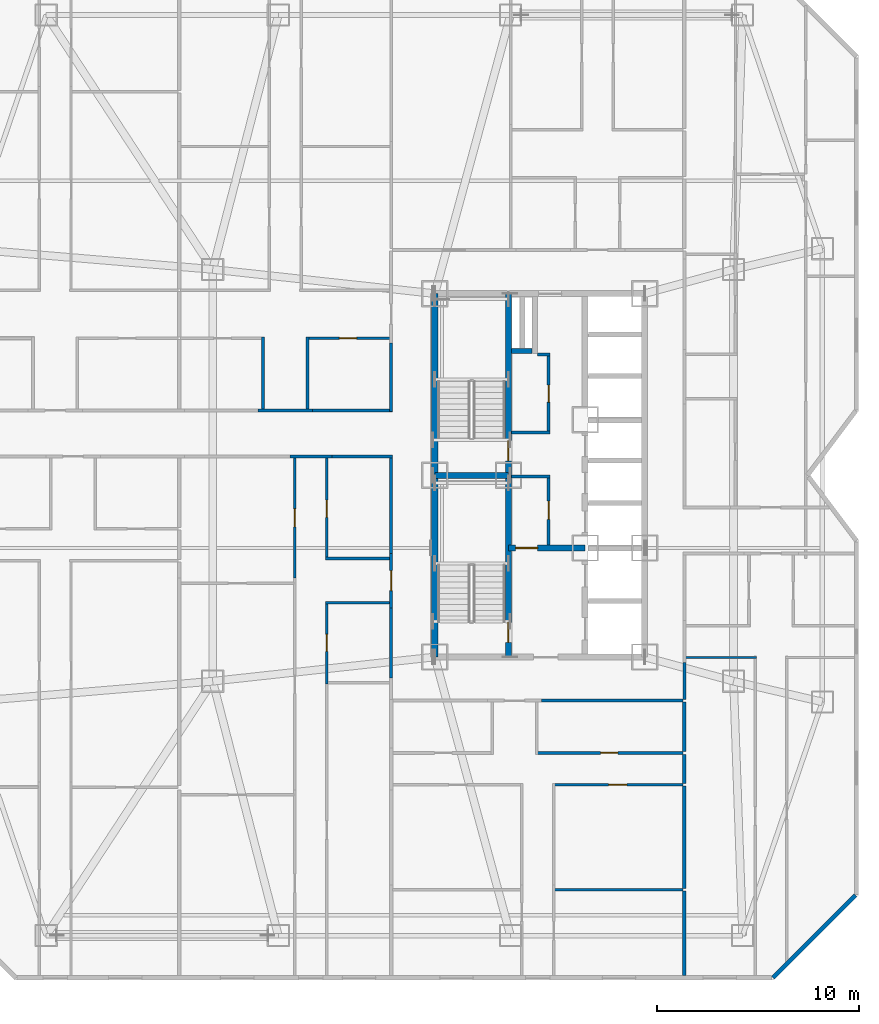
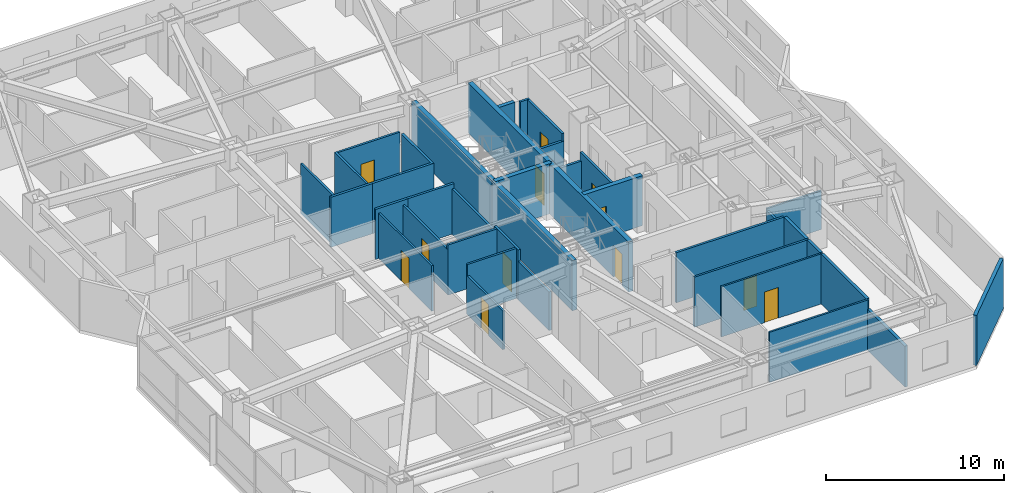
# One storey, part 13 of 18: 39 walls, 12 doors, 12 openings.
"""IFC4 building model written with IfcOpenShell, lengths in metres."""

from ifc_helpers import new_model, si_unit, direction, frame, frame_2d, origin, place, context, subcontext, project, spatial, rectangle, extrude, material, layer, layer_set, type_object, element, fill, save


model = new_model("IFC4")

# Units and contexts
model_context = context("Model", 3, precision=1e-05, world=origin(), true_north=direction((0.0, 1.0)))
body_context = subcontext(model_context, "Body", "Model", "MODEL_VIEW")
ifc_project = project(units=[si_unit("LENGTHUNIT", "METRE"), si_unit("AREAUNIT", "SQUARE_METRE"), si_unit("VOLUMEUNIT", "CUBIC_METRE"), si_unit("PLANEANGLEUNIT", "RADIAN"), si_unit("MASSUNIT", "GRAM", prefix="KILO")], contexts=[model_context])

# Site, building, storey
site_placement = place(None, origin())
site = spatial("IfcSite", under=ifc_project, at=site_placement, CompositionType="ELEMENT")
building_placement = place(site_placement, origin())
building = spatial("IfcBuilding", under=site, at=building_placement, Name="Khamvora Tower", CompositionType="ELEMENT")
storey_placement = place(building_placement, frame((0.0, 0.0, 69.800048828125)))
storey = spatial("IfcBuildingStorey", under=building, at=storey_placement, Name="L17", CompositionType="ELEMENT", Elevation=69.800048828125)

# Walls
ifc_material_1 = material(Name="Concrete C50/60", Category="concrete")
ifc_layer_1 = layer(ifc_material_1, 0.300048828125)
ifc_layer_set_1 = layer_set([ifc_layer_1], Name="Concrete C50/60")
wall_type_1 = type_object("IfcWallType", Name="WAL-CORE-300", PredefinedType="SHEAR", material=ifc_layer_set_1)
for number, where, z_axis, x_axis, name in (
    (1, (29.0, 19.0, 0.0), (0.0, 0.0, 1.0), (0.0, 1.0, 0.0), "L17 central core west south wall"),
    (2, (29.0, 28.0, 0.0), (0.0, 0.0, 1.0), (0.0, 1.0, 0.0), "L17 central core west north wall"),
):
    element("IfcWall", number, at=place(storey_placement, frame(where, z_axis=z_axis, x_axis=x_axis)), inside=storey, type_object=wall_type_1, Name=name, PredefinedType="SHEAR", context=body_context, shape_type="SweptSolid", body=[
        extrude(rectangle(XDim=9.0, YDim=0.300048828125, at=frame_2d((4.5, 0.0))), origin(), (0.0, 0.0, 1.0), 3.429931640625),
    ])

# Wall, opening, door
wall_1_placement = place(storey_placement, frame((32.64990234375, 19.0, 0.0), z_axis=(0.0, 0.0, 1.0), x_axis=(0.0, 1.0, 0.0)))
wall_1 = element("IfcWall", 3, at=wall_1_placement, inside=storey, type_object=wall_type_1, Name="L17 central core stair south spine wall", PredefinedType="SHEAR", context=body_context, shape_type="SweptSolid", body=[
    extrude(rectangle(XDim=9.0, YDim=0.300048828125, at=frame_2d((4.5, 0.0))), origin(), (0.0, 0.0, 1.0), 3.429931640625),
])
opening_1_placement = place(wall_1_placement, frame((0.719970703125, 0.0, 0.0)))
opening_1 = element("IfcOpeningElement", 4, at=opening_1_placement, cuts=wall_1, Name="Opening D-ST1", PredefinedType="OPENING", context=body_context, shape_type="SweptSolid", body=[
    extrude(rectangle(XDim=1.0, YDim=2.14990234375, at=frame_2d((0.5, 1.074951171875))), frame((0.0, 0.159912109375, 0.0), z_axis=(0.0, -1.0, 0.0), x_axis=(1.0, 0.0, 0.0)), (0.0, 0.0, 1.0), 0.320068359375),
])
ifc_material_2 = material(Name="Powder-Coated Steel and Hardwood Leaf", Category="steel")
door_type_1 = type_object("IfcDoorType", Name="DOR-STAIR-1000", OperationType="NOTDEFINED", PredefinedType="DOOR", material=ifc_material_2)
door_1_placement = place(opening_1_placement, origin())
door_1 = element("IfcDoor", 5, at=door_1_placement, inside=storey, type_object=door_type_1, Name="L17 exit stair ST-01 fire door", OperationType="SINGLE_SWING_RIGHT", OverallHeight=2.14990234375, OverallWidth=1.0, PredefinedType="DOOR", context=body_context, shape_type="SweptSolid", body=[
    extrude(rectangle(XDim=1.0, YDim=2.14990234375, at=frame_2d((0.5, 1.074951171875))), frame((0.0, 0.02490234375, 0.0), z_axis=(0.0, -1.0, 0.0), x_axis=(1.0, 0.0, 0.0)), (0.0, 0.0, 1.0), 0.050048828125),
])
fill(opening_1, door_1)

wall_2_placement = place(storey_placement, frame((32.64990234375, 28.0, 0.0), z_axis=(0.0, 0.0, 1.0), x_axis=(0.0, 1.0, 0.0)))
wall_2 = element("IfcWall", 6, at=wall_2_placement, inside=storey, type_object=wall_type_1, Name="L17 central core stair north spine wall", PredefinedType="SHEAR", context=body_context, shape_type="SweptSolid", body=[
    extrude(rectangle(XDim=9.0, YDim=0.300048828125, at=frame_2d((4.5, 0.0))), origin(), (0.0, 0.0, 1.0), 3.429931640625),
])
opening_2_placement = place(wall_2_placement, frame((0.719970703125, 0.0, 0.0)))
opening_2 = element("IfcOpeningElement", 7, at=opening_2_placement, cuts=wall_2, Name="Opening D-ST1", PredefinedType="OPENING", context=body_context, shape_type="SweptSolid", body=[
    extrude(rectangle(XDim=1.0, YDim=2.14990234375, at=frame_2d((0.5, 1.074951171875))), frame((0.0, 0.159912109375, 0.0), z_axis=(0.0, -1.0, 0.0), x_axis=(1.0, 0.0, 0.0)), (0.0, 0.0, 1.0), 0.320068359375),
])
door_2_placement = place(opening_2_placement, origin())
door_2 = element("IfcDoor", 8, at=door_2_placement, inside=storey, type_object=door_type_1, Name="L17 exit stair ST-02 fire door", OperationType="SINGLE_SWING_RIGHT", OverallHeight=2.14990234375, OverallWidth=1.0, PredefinedType="DOOR", context=body_context, shape_type="SweptSolid", body=[
    extrude(rectangle(XDim=1.0, YDim=2.14990234375, at=frame_2d((0.5, 1.074951171875))), frame((0.0, 0.02490234375, 0.0), z_axis=(0.0, -1.0, 0.0), x_axis=(1.0, 0.0, 0.0)), (0.0, 0.0, 1.0), 0.050048828125),
])
fill(opening_2, door_2)

# Wall
wall_3_placement = place(storey_placement, frame((29.0, 28.0, 0.0), z_axis=(0.0, 0.0, 1.0), x_axis=(1.0, 0.0, 0.0)))
element("IfcWall", 9, at=wall_3_placement, inside=storey, type_object=wall_type_1, Name="L17 central core stair cross wall", PredefinedType="SHEAR", context=body_context, shape_type="SweptSolid", body=[
    extrude(rectangle(XDim=3.64990234375, YDim=0.300048828125, at=frame_2d((1.824951171875, 0.0))), origin(), (0.0, 0.0, 1.0), 3.429931640625),
])

# Wall, opening, door
wall_4_placement = place(storey_placement, frame((32.64990234375, 24.39990234375, 0.0), z_axis=(0.0, 0.0, 1.0), x_axis=(1.0, 0.0, 0.0)))
wall_4 = element("IfcWall", 10, at=wall_4_placement, inside=storey, type_object=wall_type_1, Name="L17 central core firefighting lobby north wall", PredefinedType="SHEAR", context=body_context, shape_type="SweptSolid", body=[
    extrude(rectangle(XDim=3.800048828125, YDim=0.300048828125, at=frame_2d((1.89990234375, 0.0))), origin(), (0.0, 0.0, 1.0), 3.429931640625),
])
opening_3_placement = place(wall_4_placement, frame((0.35009765625, 0.0, 0.0)))
opening_3 = element("IfcOpeningElement", 11, at=opening_3_placement, cuts=wall_4, Name="Opening D-FF1", PredefinedType="OPENING", context=body_context, shape_type="SweptSolid", body=[
    extrude(rectangle(XDim=1.10009765625, YDim=2.14990234375, at=frame_2d((0.550048828125, 1.074951171875))), frame((0.0, 0.159912109375, 0.0), z_axis=(0.0, -1.0, 0.0), x_axis=(1.0, 0.0, 0.0)), (0.0, 0.0, 1.0), 0.320068359375),
])
door_type_2 = type_object("IfcDoorType", Name="DOR-FFLOB-1100", OperationType="NOTDEFINED", PredefinedType="DOOR", material=ifc_material_2)
door_3_placement = place(opening_3_placement, origin())
door_3 = element("IfcDoor", 12, at=door_3_placement, inside=storey, type_object=door_type_2, Name="L17 firefighting lobby smoke-seal fire door", OperationType="SINGLE_SWING_LEFT", OverallHeight=2.14990234375, OverallWidth=1.10009765625, PredefinedType="DOOR", context=body_context, shape_type="SweptSolid", body=[
    extrude(rectangle(XDim=1.10009765625, YDim=2.14990234375, at=frame_2d((0.550048828125, 1.074951171875))), frame((0.0, 0.02490234375, 0.0), z_axis=(0.0, -1.0, 0.0), x_axis=(1.0, 0.0, 0.0)), (0.0, 0.0, 1.0), 0.050048828125),
])
fill(opening_3, door_3)

# Wall
ifc_material_3 = material(Name="Fire-Rated Drywall and Steel Stud", Category="steel")
ifc_layer_2 = layer(ifc_material_3, 0.14990234375)
ifc_layer_set_2 = layer_set([ifc_layer_2], Name="Fire-Rated Drywall and Steel Stud")
wall_type_2 = type_object("IfcWallType", Name="WAL-CORR-150", PredefinedType="STANDARD", material=ifc_layer_set_2)
wall_5_placement = place(storey_placement, frame((32.7939453125, 30.114990234375, 0.0), z_axis=(0.0, 0.0, 1.0), x_axis=(1.0, 0.0, 0.0)))
element("IfcWall", 13, at=wall_5_placement, inside=storey, type_object=wall_type_2, Name="L17 interior partition wall 001", PredefinedType="STANDARD", context=body_context, shape_type="SweptSolid", body=[
    extrude(rectangle(XDim=1.906005859375, YDim=0.14990234375, at=frame_2d((0.953125, 0.0))), origin(), (0.0, 0.0, 1.0), 2.886962890625),
])

# Wall, opening, door
wall_6_placement = place(storey_placement, frame((34.635009765625, 30.052001953125, 0.0), z_axis=(0.0, 0.0, 1.0), x_axis=(0.0, 1.0, 0.0)))
wall_6 = element("IfcWall", 14, at=wall_6_placement, inside=storey, type_object=wall_type_2, Name="L17 interior partition wall 002", PredefinedType="STANDARD", context=body_context, shape_type="SweptSolid", body=[
    extrude(rectangle(XDim=3.988037109375, YDim=0.14990234375, at=frame_2d((1.994140625, 0.0))), origin(), (0.0, 0.0, 1.0), 3.429931640625),
])
opening_4_placement = place(wall_6_placement, frame((1.569091796875, 0.0, 0.0)))
opening_4 = element("IfcOpeningElement", 15, at=opening_4_placement, cuts=wall_6, Name="Opening D-WC1", PredefinedType="OPENING", context=body_context, shape_type="SweptSolid", body=[
    extrude(rectangle(XDim=0.85009765625, YDim=2.10009765625, at=frame_2d((0.425048828125, 1.050048828125))), frame((0.0, 0.0849609375, 0.0), z_axis=(0.0, -1.0, 0.0), x_axis=(1.0, 0.0, 0.0)), (0.0, 0.0, 1.0), 0.169921875),
])
door_type_3 = type_object("IfcDoorType", Name="DOR-WET-850", OperationType="NOTDEFINED", PredefinedType="DOOR", material=ifc_material_2)
door_4_placement = place(opening_4_placement, origin())
door_4 = element("IfcDoor", 16, at=door_4_placement, inside=storey, type_object=door_type_3, Name="L17 interior door PLL-CS1", OperationType="SINGLE_SWING_RIGHT", OverallHeight=2.10009765625, OverallWidth=0.85009765625, PredefinedType="DOOR", context=body_context, shape_type="SweptSolid", body=[
    extrude(rectangle(XDim=0.85009765625, YDim=2.10009765625, at=frame_2d((0.425048828125, 1.050048828125))), frame((0.0, 0.02490234375, 0.0), z_axis=(0.0, -1.0, 0.0), x_axis=(1.0, 0.0, 0.0)), (0.0, 0.0, 1.0), 0.050048828125),
])
fill(opening_4, door_4)

# Wall
wall_7_placement = place(storey_placement, frame((34.699951171875, 33.97509765625, 0.0), z_axis=(0.0, 0.0, 1.0), x_axis=(-1.0, 0.0, 0.0)))
element("IfcWall", 17, at=wall_7_placement, inside=storey, type_object=wall_type_2, Name="L17 interior partition wall 003", PredefinedType="STANDARD", context=body_context, shape_type="SweptSolid", body=[
    extrude(rectangle(XDim=0.599853515625, YDim=0.14990234375, at=frame_2d((0.2998046875, 0.0))), origin(), (0.0, 0.0, 1.0), 3.429931640625),
])

# Wall, opening, door
wall_8_placement = place(storey_placement, frame((34.635009765625, 24.5439453125, 0.0), z_axis=(0.0, 0.0, 1.0), x_axis=(0.0, 1.0, 0.0)))
wall_8 = element("IfcWall", 18, at=wall_8_placement, inside=storey, type_object=wall_type_2, Name="L17 interior partition wall 004", PredefinedType="STANDARD", context=body_context, shape_type="SweptSolid", body=[
    extrude(rectangle(XDim=3.4560546875, YDim=0.14990234375, at=frame_2d((1.72802734375, 0.0))), origin(), (0.0, 0.0, 1.0), 3.429931640625),
])
opening_5_placement = place(wall_8_placement, frame((1.278076171875, 0.0, 0.0)))
opening_5 = element("IfcOpeningElement", 19, at=opening_5_placement, cuts=wall_8, Name="Opening D-RM1", PredefinedType="OPENING", context=body_context, shape_type="SweptSolid", body=[
    extrude(rectangle(XDim=0.89990234375, YDim=2.10009765625, at=frame_2d((0.449951171875, 1.050048828125))), frame((0.0, 0.0849609375, 0.0), z_axis=(0.0, -1.0, 0.0), x_axis=(1.0, 0.0, 0.0)), (0.0, 0.0, 1.0), 0.169921875),
])
door_type_4 = type_object("IfcDoorType", Name="DOR-ROOM-900", OperationType="NOTDEFINED", PredefinedType="DOOR", material=ifc_material_2)
door_5_placement = place(opening_5_placement, origin())
door_5 = element("IfcDoor", 20, at=door_5_placement, inside=storey, type_object=door_type_4, Name="L17 interior door PLL-CS2", OperationType="SINGLE_SWING_LEFT", OverallHeight=2.10009765625, OverallWidth=0.89990234375, PredefinedType="DOOR", context=body_context, shape_type="SweptSolid", body=[
    extrude(rectangle(XDim=0.89990234375, YDim=2.10009765625, at=frame_2d((0.449951171875, 1.050048828125))), frame((0.0, 0.02490234375, 0.0), z_axis=(0.0, -1.0, 0.0), x_axis=(1.0, 0.0, 0.0)), (0.0, 0.0, 1.0), 0.050048828125),
])
fill(opening_5, door_5)

# Wall
wall_9_placement = place(storey_placement, frame((34.699951171875, 27.93505859375, 0.0), z_axis=(0.0, 0.0, 1.0), x_axis=(-1.0, 0.0, 0.0)))
element("IfcWall", 21, at=wall_9_placement, inside=storey, type_object=wall_type_2, Name="L17 interior partition wall 005", PredefinedType="STANDARD", context=body_context, shape_type="SweptSolid", body=[
    extrude(rectangle(XDim=1.906005859375, YDim=0.14990234375, at=frame_2d((0.953125, 0.0))), origin(), (0.0, 0.0, 1.0), 2.886962890625),
])

# Wall, opening, door
wall_10_placement = place(storey_placement, frame((26.8349609375, 21.43505859375, 0.0), z_axis=(0.0, 0.0, 1.0), x_axis=(0.0, 1.0, 0.0)))
wall_10 = element("IfcWall", 22, at=wall_10_placement, inside=storey, type_object=wall_type_2, Name="L17 interior partition wall 011", PredefinedType="STANDARD", context=body_context, shape_type="SweptSolid", body=[
    extrude(rectangle(XDim=2.697998046875, YDim=0.14990234375, at=frame_2d((1.34912109375, 0.0))), origin(), (0.0, 0.0, 1.0), 3.429931640625),
])
opening_6_placement = place(wall_10_placement, frame((0.84912109375, 0.0, 0.0)))
opening_6 = element("IfcOpeningElement", 23, at=opening_6_placement, cuts=wall_10, Name="Opening D-U1", PredefinedType="OPENING", context=body_context, shape_type="SweptSolid", body=[
    extrude(rectangle(XDim=1.0, YDim=2.14990234375, at=frame_2d((0.5, 1.074951171875))), frame((0.0, 0.0849609375, 0.0), z_axis=(0.0, -1.0, 0.0), x_axis=(1.0, 0.0, 0.0)), (0.0, 0.0, 1.0), 0.169921875),
])
door_type_5 = type_object("IfcDoorType", Name="DOR-UNIT-1000", OperationType="NOTDEFINED", PredefinedType="DOOR", material=ifc_material_2)
door_6_placement = place(opening_6_placement, origin())
door_6 = element("IfcDoor", 24, at=door_6_placement, inside=storey, type_object=door_type_5, Name="L17 interior door COR-17WA2H", OperationType="SINGLE_SWING_RIGHT", OverallHeight=2.14990234375, OverallWidth=1.0, PredefinedType="DOOR", context=body_context, shape_type="SweptSolid", body=[
    extrude(rectangle(XDim=1.0, YDim=2.14990234375, at=frame_2d((0.5, 1.074951171875))), frame((0.0, 0.02490234375, 0.0), z_axis=(0.0, -1.0, 0.0), x_axis=(1.0, 0.0, 0.0)), (0.0, 0.0, 1.0), 0.050048828125),
])
fill(opening_6, door_6)

# Walls
wall_11_placement = place(storey_placement, frame((23.89990234375, 28.93505859375, 0.0), z_axis=(0.0, 0.0, 1.0), x_axis=(-1.0, 0.0, 0.0)))
element("IfcWall", 25, at=wall_11_placement, inside=storey, type_object=wall_type_2, Name="L17 interior partition wall 012", PredefinedType="STANDARD", context=body_context, shape_type="SweptSolid", body=[
    extrude(rectangle(XDim=2.078857421875, YDim=0.14990234375, at=frame_2d((1.03955078125, 0.0))), origin(), (0.0, 0.0, 1.0), 3.429931640625),
])
wall_12_placement = place(storey_placement, frame((26.8349609375, 17.968017578125, 0.0), z_axis=(0.0, 0.0, 1.0), x_axis=(0.0, 1.0, 0.0)))
element("IfcWall", 26, at=wall_12_placement, inside=storey, type_object=wall_type_2, Name="L17 interior partition wall 013", PredefinedType="STANDARD", context=body_context, shape_type="SweptSolid", body=[
    extrude(rectangle(XDim=3.467041015625, YDim=0.14990234375, at=frame_2d((1.7333984375, 0.0))), origin(), (0.0, 0.0, 1.0), 2.64697265625),
])
wall_13_placement = place(storey_placement, frame((26.8349609375, 24.133056640625, 0.0), z_axis=(0.0, 0.0, 1.0), x_axis=(0.0, 1.0, 0.0)))
element("IfcWall", 27, at=wall_13_placement, inside=storey, type_object=wall_type_2, Name="L17 interior partition wall 014", PredefinedType="STANDARD", context=body_context, shape_type="SweptSolid", body=[
    extrude(rectangle(XDim=4.866943359375, YDim=0.14990234375, at=frame_2d((2.43359375, 0.0))), origin(), (0.0, 0.0, 1.0), 3.10693359375),
])
wall_14_placement = place(storey_placement, frame((26.89794921875, 28.93505859375, 0.0), z_axis=(0.0, 0.0, 1.0), x_axis=(-1.0, 0.0, 0.0)))
element("IfcWall", 28, at=wall_14_placement, inside=storey, type_object=wall_type_2, Name="L17 interior partition wall 015", PredefinedType="STANDARD", context=body_context, shape_type="SweptSolid", body=[
    extrude(rectangle(XDim=2.998046875, YDim=0.14990234375, at=frame_2d((1.4990234375, 0.0))), origin(), (0.0, 0.0, 1.0), 3.429931640625),
])
wall_15_placement = place(storey_placement, frame((20.241943359375, 31.215087890625, 0.0), z_axis=(0.0, 0.0, 1.0), x_axis=(1.0, 0.0, 0.0)))
element("IfcWall", 29, at=wall_15_placement, inside=storey, type_object=wall_type_2, Name="L17 interior partition wall 020", PredefinedType="STANDARD", context=body_context, shape_type="SweptSolid", body=[
    extrude(rectangle(XDim=2.697998046875, YDim=0.14990234375, at=frame_2d((1.34912109375, 0.0))), origin(), (0.0, 0.0, 1.0), 3.429931640625),
])
wall_16_placement = place(storey_placement, frame((22.93994140625, 31.215087890625, 0.0), z_axis=(0.0, 0.0, 1.0), x_axis=(1.0, 0.0, 0.0)))
element("IfcWall", 30, at=wall_16_placement, inside=storey, type_object=wall_type_2, Name="L17 interior partition wall 023", PredefinedType="STANDARD", context=body_context, shape_type="SweptSolid", body=[
    extrude(rectangle(XDim=3.9599609375, YDim=0.14990234375, at=frame_2d((1.97998046875, 0.0))), origin(), (0.0, 0.0, 1.0), 3.429931640625),
])
wall_17_placement = place(storey_placement, frame((26.8349609375, 31.14990234375, 0.0), z_axis=(0.0, 0.0, 1.0), x_axis=(0.0, 1.0, 0.0)))
element("IfcWall", 31, at=wall_17_placement, inside=storey, type_object=wall_type_2, Name="L17 interior partition wall 024", PredefinedType="STANDARD", context=body_context, shape_type="SweptSolid", body=[
    extrude(rectangle(XDim=3.39599609375, YDim=0.14990234375, at=frame_2d((1.697998046875, 0.0))), origin(), (0.0, 0.0, 1.0), 3.429931640625),
])
wall_18_placement = place(storey_placement, frame((41.300048828125, 16.8349609375, 0.0), z_axis=(0.0, 0.0, 1.0), x_axis=(-1.0, 0.0, 0.0)))
element("IfcWall", 32, at=wall_18_placement, inside=storey, type_object=wall_type_2, Name="L17 interior partition wall 028", PredefinedType="STANDARD", context=body_context, shape_type="SweptSolid", body=[
    extrude(rectangle(XDim=7.0009765625, YDim=0.14990234375, at=frame_2d((3.50048828125, 0.0))), origin(), (0.0, 0.0, 1.0), 3.429931640625),
])
wall_19_placement = place(storey_placement, frame((41.364990234375, 18.72607421875, 0.0), z_axis=(0.0, 0.0, 1.0), x_axis=(0.0, -1.0, 0.0)))
element("IfcWall", 33, at=wall_19_placement, inside=storey, type_object=wall_type_2, Name="L17 interior partition wall 037", PredefinedType="STANDARD", context=body_context, shape_type="SweptSolid", body=[
    extrude(rectangle(XDim=1.826171875, YDim=0.14990234375, at=frame_2d((0.9130859375, 0.0))), origin(), (0.0, 0.0, 1.0), 2.64697265625),
])
ifc_material_4 = material(Name="Acoustic Double-Stud Fire Wall", Category="gypsum")
ifc_layer_3 = layer(ifc_material_4, 0.179931640625)
ifc_layer_set_3 = layer_set([ifc_layer_3], Name="Acoustic Double-Stud Fire Wall")
wall_type_3 = type_object("IfcWallType", Name="WAL-CORR-180", PredefinedType="STANDARD", material=ifc_layer_set_3)
wall_20_placement = place(storey_placement, frame((41.364990234375, 14.180908203125, 0.0), z_axis=(0.0, 0.0, 1.0), x_axis=(0.0, -1.0, 0.0)))
element("IfcWall", 34, at=wall_20_placement, inside=storey, type_object=wall_type_3, Name="L17 interior partition wall 120", PredefinedType="STANDARD", context=body_context, shape_type="SweptSolid", body=[
    extrude(rectangle(XDim=1.449951171875, YDim=0.179931640625, at=frame_2d((0.72509765625, 0.0))), origin(), (0.0, 0.0, 1.0), 3.429931640625),
])
wall_21_placement = place(storey_placement, frame((41.364990234375, 16.77001953125, 0.0), z_axis=(0.0, 0.0, 1.0), x_axis=(0.0, -1.0, 0.0)))
element("IfcWall", 35, at=wall_21_placement, inside=storey, type_object=wall_type_3, Name="L17 interior partition wall 121", PredefinedType="STANDARD", context=body_context, shape_type="SweptSolid", body=[
    extrude(rectangle(XDim=2.458984375, YDim=0.179931640625, at=frame_2d((1.2294921875, 0.0))), origin(), (0.0, 0.0, 1.0), 3.429931640625),
])
wall_22_placement = place(storey_placement, frame((41.364990234375, 7.39794921875, 0.0), z_axis=(0.0, 0.0, 1.0), x_axis=(0.0, -1.0, 0.0)))
element("IfcWall", 36, at=wall_22_placement, inside=storey, type_object=wall_type_3, Name="L17 interior partition wall 124", PredefinedType="STANDARD", context=body_context, shape_type="SweptSolid", body=[
    extrude(rectangle(XDim=4.18603515625, YDim=0.179931640625, at=frame_2d((2.093017578125, 0.0))), origin(), (0.0, 0.0, 1.0), 2.802978515625),
])
wall_23_placement = place(storey_placement, frame((41.364990234375, 12.60107421875, 0.0), z_axis=(0.0, 0.0, 1.0), x_axis=(0.0, -1.0, 0.0)))
element("IfcWall", 37, at=wall_23_placement, inside=storey, type_object=wall_type_3, Name="L17 interior partition wall 125", PredefinedType="STANDARD", context=body_context, shape_type="SweptSolid", body=[
    extrude(rectangle(XDim=5.072998046875, YDim=0.179931640625, at=frame_2d((2.53662109375, 0.0))), origin(), (0.0, 0.0, 1.0), 3.429931640625),
])
ifc_material_5 = material(Name="Precast concrete C40/50", Category="concrete")
ifc_layer_4 = layer(ifc_material_5, 0.219970703125)
ifc_layer_set_4 = layer_set([ifc_layer_4], Name="Precast concrete C40/50")
wall_type_4 = type_object("IfcWallType", Name="WAL-EXT-220", PredefinedType="STANDARD", material=ifc_layer_set_4)
wall_24_placement = place(storey_placement, frame((49.840087890625, 7.196044921875, 0.0), z_axis=(0.0, 0.0, 1.0), x_axis=(-0.707127905562, -0.70708565618, 0.0)))
element("IfcWall", 38, at=wall_24_placement, inside=storey, type_object=wall_type_4, Name="L17 exterior facade wall 13.1", PredefinedType="STANDARD", context=body_context, shape_type="SweptSolid", body=[
    extrude(rectangle(XDim=5.778564453125, YDim=0.219970703125, at=frame_2d((2.88916015625, 0.0))), origin(), (0.0, 0.0, 1.0), 3.429931640625),
])

# Wall, opening, door
ifc_material_6 = material(Name="Gypsum Plasterboard Partition", Category="gypsum")
ifc_layer_5 = layer(ifc_material_6, 0.1201171875)
ifc_layer_set_5 = layer_set([ifc_layer_5], Name="Gypsum Plasterboard Partition")
wall_type_5 = type_object("IfcWallType", Name="WAL-PART-120", PredefinedType="PARTITIONING", material=ifc_layer_set_5)
wall_25_placement = place(storey_placement, frame((22.070068359375, 22.912109375, 0.0), z_axis=(0.0, 0.0, 1.0), x_axis=(0.0, 1.0, 0.0)))
wall_25 = element("IfcWall", 39, at=wall_25_placement, inside=storey, type_object=wall_type_5, Name="L17 interior partition wall 078", PredefinedType="PARTITIONING", context=body_context, shape_type="SweptSolid", body=[
    extrude(rectangle(XDim=5.955810546875, YDim=0.1201171875, at=frame_2d((2.97802734375, 0.0))), origin(), (0.0, 0.0, 1.0), 3.10693359375),
])
opening_7_placement = place(wall_25_placement, frame((2.528076171875, 0.0, 0.0)))
opening_7 = element("IfcOpeningElement", 40, at=opening_7_placement, cuts=wall_25, Name="Opening D-RM1", PredefinedType="OPENING", context=body_context, shape_type="SweptSolid", body=[
    extrude(rectangle(XDim=0.89990234375, YDim=2.10009765625, at=frame_2d((0.449951171875, 1.050048828125))), frame((0.0, 0.070068359375, 0.0), z_axis=(0.0, -1.0, 0.0), x_axis=(1.0, 0.0, 0.0)), (0.0, 0.0, 1.0), 0.14013671875),
])
door_7_placement = place(opening_7_placement, origin())
door_7 = element("IfcDoor", 41, at=door_7_placement, inside=storey, type_object=door_type_4, Name="L17 interior door 17WA2H-17WA2R3", OperationType="SINGLE_SWING_RIGHT", OverallHeight=2.10009765625, OverallWidth=0.89990234375, PredefinedType="DOOR", context=body_context, shape_type="SweptSolid", body=[
    extrude(rectangle(XDim=0.89990234375, YDim=2.10009765625, at=frame_2d((0.449951171875, 1.050048828125))), frame((0.0, 0.02490234375, 0.0), z_axis=(0.0, -1.0, 0.0), x_axis=(1.0, 0.0, 0.0)), (0.0, 0.0, 1.0), 0.050048828125),
])
fill(opening_7, door_7)

wall_26_placement = place(storey_placement, frame((41.300048828125, 12.666015625, 0.0), z_axis=(0.0, 0.0, 1.0), x_axis=(-1.0, 0.0, 0.0)))
wall_26 = element("IfcWall", 42, at=wall_26_placement, inside=storey, type_object=wall_type_5, Name="L17 interior partition wall 118", PredefinedType="PARTITIONING", context=body_context, shape_type="SweptSolid", body=[
    extrude(rectangle(XDim=6.47998046875, YDim=0.1201171875, at=frame_2d((3.239990234375, 0.0))), origin(), (0.0, 0.0, 1.0), 3.429931640625),
])
opening_8_placement = place(wall_26_placement, frame((2.7900390625, 0.0, 0.0)))
opening_8 = element("IfcOpeningElement", 43, at=opening_8_placement, cuts=wall_26, Name="Opening D-RM1", PredefinedType="OPENING", context=body_context, shape_type="SweptSolid", body=[
    extrude(rectangle(XDim=0.89990234375, YDim=2.10009765625, at=frame_2d((0.449951171875, 1.050048828125))), frame((0.0, 0.070068359375, 0.0), z_axis=(0.0, -1.0, 0.0), x_axis=(1.0, 0.0, 0.0)), (0.0, 0.0, 1.0), 0.14013671875),
])
door_8_placement = place(opening_8_placement, origin())
door_8 = element("IfcDoor", 44, at=door_8_placement, inside=storey, type_object=door_type_4, Name="L17 interior door 17SAH-17SAR4", OperationType="SINGLE_SWING_LEFT", OverallHeight=2.10009765625, OverallWidth=0.89990234375, PredefinedType="DOOR", context=body_context, shape_type="SweptSolid", body=[
    extrude(rectangle(XDim=0.89990234375, YDim=2.10009765625, at=frame_2d((0.449951171875, 1.050048828125))), frame((0.0, 0.02490234375, 0.0), z_axis=(0.0, -1.0, 0.0), x_axis=(1.0, 0.0, 0.0)), (0.0, 0.0, 1.0), 0.050048828125),
])
fill(opening_8, door_8)

# Walls
wall_27_placement = place(storey_placement, frame((34.93896484375, 7.462890625, 0.0), z_axis=(0.0, 0.0, 1.0), x_axis=(1.0, 0.0, 0.0)))
element("IfcWall", 45, at=wall_27_placement, inside=storey, type_object=wall_type_5, Name="L17 interior partition wall 123", PredefinedType="PARTITIONING", context=body_context, shape_type="SweptSolid", body=[
    extrude(rectangle(XDim=6.361083984375, YDim=0.1201171875, at=frame_2d((3.1806640625, 0.0))), origin(), (0.0, 0.0, 1.0), 3.429931640625),
])
wall_28_placement = place(storey_placement, frame((44.93994140625, 18.97509765625, 0.0), z_axis=(0.0, 0.0, 1.0), x_axis=(-1.0, 0.0, 0.0)))
element("IfcWall", 46, at=wall_28_placement, inside=storey, type_object=wall_type_5, Name="L17 interior partition wall 142", PredefinedType="PARTITIONING", context=body_context, shape_type="SweptSolid", body=[
    extrude(rectangle(XDim=3.508056640625, YDim=0.1201171875, at=frame_2d((1.75390625, 0.0))), origin(), (0.0, 0.0, 1.0), 2.64697265625),
])
ifc_material_7 = material(Name="Concrete C40/50", Category="concrete")
ifc_layer_6 = layer(ifc_material_7, 0.25)
ifc_layer_set_6 = layer_set([ifc_layer_6], Name="Concrete C40/50")
wall_type_6 = type_object("IfcWallType", Name="WAL-PODS-250", PredefinedType="SHEAR", material=ifc_layer_set_6)
wall_29_placement = place(storey_placement, frame((32.803955078125, 34.14990234375, 0.0), z_axis=(0.0, 0.0, 1.0), x_axis=(1.0, 0.0, 0.0)))
element("IfcWall", 47, at=wall_29_placement, inside=storey, type_object=wall_type_6, Name="L17 vertical MEP riser shaft south enclosure wall", PredefinedType="SHEAR", context=body_context, shape_type="SweptSolid", body=[
    extrude(rectangle(XDim=1.02197265625, YDim=0.25, at=frame_2d((0.510986328125, 0.0))), origin(), (0.0, 0.0, 1.0), 3.429931640625),
])
ifc_material_8 = material(Name="Moisture-Resistant Plasterboard Partition", Category="gypsum")
ifc_layer_7 = layer(ifc_material_8, 0.135009765625)
ifc_layer_set_7 = layer_set([ifc_layer_7], Name="Moisture-Resistant Plasterboard Partition")
wall_type_7 = type_object("IfcWallType", Name="WAL-WET-135", PredefinedType="PARTITIONING", material=ifc_layer_set_7)
wall_30_placement = place(storey_placement, frame((26.77001953125, 21.68408203125, 0.0), z_axis=(0.0, 0.0, 1.0), x_axis=(-1.0, 0.0, 0.0)))
element("IfcWall", 48, at=wall_30_placement, inside=storey, type_object=wall_type_7, Name="L17 interior partition wall 072", PredefinedType="PARTITIONING", context=body_context, shape_type="SweptSolid", body=[
    extrude(rectangle(XDim=3.18505859375, YDim=0.135009765625, at=frame_2d((1.592529296875, 0.0))), origin(), (0.0, 0.0, 1.0), 3.429931640625),
])

# Wall, opening, door
wall_31_placement = place(storey_placement, frame((23.64990234375, 21.7490234375, 0.0), z_axis=(0.0, 0.0, 1.0), x_axis=(0.0, -1.0, 0.0)))
wall_31 = element("IfcWall", 49, at=wall_31_placement, inside=storey, type_object=wall_type_7, Name="L17 interior partition wall 073", PredefinedType="PARTITIONING", context=body_context, shape_type="SweptSolid", body=[
    extrude(rectangle(XDim=4.094970703125, YDim=0.135009765625, at=frame_2d((2.04736328125, 0.0))), origin(), (0.0, 0.0, 1.0), 2.64697265625),
])
opening_9_placement = place(wall_31_placement, frame((1.6220703125, 0.0, 0.0)))
opening_9 = element("IfcOpeningElement", 50, at=opening_9_placement, cuts=wall_31, Name="Opening D-WC1", PredefinedType="OPENING", context=body_context, shape_type="SweptSolid", body=[
    extrude(rectangle(XDim=0.85009765625, YDim=2.10009765625, at=frame_2d((0.425048828125, 1.050048828125))), frame((0.0, 0.077392578125, 0.0), z_axis=(0.0, -1.0, 0.0), x_axis=(1.0, 0.0, 0.0)), (0.0, 0.0, 1.0), 0.155029296875),
])
door_9_placement = place(opening_9_placement, origin())
door_9 = element("IfcDoor", 51, at=door_9_placement, inside=storey, type_object=door_type_3, Name="L17 interior door 17WA2H-17WA2B", OperationType="SINGLE_SWING_RIGHT", OverallHeight=2.10009765625, OverallWidth=0.85009765625, PredefinedType="DOOR", context=body_context, shape_type="SweptSolid", body=[
    extrude(rectangle(XDim=0.85009765625, YDim=2.10009765625, at=frame_2d((0.425048828125, 1.050048828125))), frame((0.0, 0.02490234375, 0.0), z_axis=(0.0, -1.0, 0.0), x_axis=(1.0, 0.0, 0.0)), (0.0, 0.0, 1.0), 0.050048828125),
])
fill(opening_9, door_9)

wall_32_placement = place(storey_placement, frame((23.64990234375, 28.867919921875, 0.0), z_axis=(0.0, 0.0, 1.0), x_axis=(0.0, -1.0, 0.0)))
wall_32 = element("IfcWall", 52, at=wall_32_placement, inside=storey, type_object=wall_type_7, Name="L17 interior partition wall 074", PredefinedType="PARTITIONING", context=body_context, shape_type="SweptSolid", body=[
    extrude(rectangle(XDim=5.048828125, YDim=0.135009765625, at=frame_2d((2.5244140625, 0.0))), origin(), (0.0, 0.0, 1.0), 3.10693359375),
])
opening_10_placement = place(wall_32_placement, frame((2.10009765625, 0.0, 0.0)))
opening_10 = element("IfcOpeningElement", 53, at=opening_10_placement, cuts=wall_32, Name="Opening D-RM2", PredefinedType="OPENING", context=body_context, shape_type="SweptSolid", body=[
    extrude(rectangle(XDim=0.85009765625, YDim=2.10009765625, at=frame_2d((0.425048828125, 1.050048828125))), frame((0.0, 0.077392578125, 0.0), z_axis=(0.0, -1.0, 0.0), x_axis=(1.0, 0.0, 0.0)), (0.0, 0.0, 1.0), 0.155029296875),
])
door_type_6 = type_object("IfcDoorType", Name="DOR-ROOM-850", OperationType="NOTDEFINED", PredefinedType="DOOR", material=ifc_material_2)
door_10_placement = place(opening_10_placement, origin())
door_10 = element("IfcDoor", 54, at=door_10_placement, inside=storey, type_object=door_type_6, Name="L17 interior door 17WA2H-17WA2K", OperationType="SINGLE_SWING_LEFT", OverallHeight=2.10009765625, OverallWidth=0.85009765625, PredefinedType="DOOR", context=body_context, shape_type="SweptSolid", body=[
    extrude(rectangle(XDim=0.85009765625, YDim=2.10009765625, at=frame_2d((0.425048828125, 1.050048828125))), frame((0.0, 0.02490234375, 0.0), z_axis=(0.0, -1.0, 0.0), x_axis=(1.0, 0.0, 0.0)), (0.0, 0.0, 1.0), 0.050048828125),
])
fill(opening_10, door_10)

# Walls
wall_33_placement = place(storey_placement, frame((23.5849609375, 23.884033203125, 0.0), z_axis=(0.0, 0.0, 1.0), x_axis=(1.0, 0.0, 0.0)))
element("IfcWall", 55, at=wall_33_placement, inside=storey, type_object=wall_type_7, Name="L17 interior partition wall 075", PredefinedType="PARTITIONING", context=body_context, shape_type="SweptSolid", body=[
    extrude(rectangle(XDim=3.18505859375, YDim=0.135009765625, at=frame_2d((1.592529296875, 0.0))), origin(), (0.0, 0.0, 1.0), 3.429931640625),
])
wall_34_placement = place(storey_placement, frame((20.490966796875, 31.280029296875, 0.0), z_axis=(0.0, 0.0, 1.0), x_axis=(0.0, 1.0, 0.0)))
element("IfcWall", 56, at=wall_34_placement, inside=storey, type_object=wall_type_7, Name="L17 interior partition wall 098", PredefinedType="PARTITIONING", context=body_context, shape_type="SweptSolid", body=[
    extrude(rectangle(XDim=3.580078125, YDim=0.135009765625, at=frame_2d((1.7900390625, 0.0))), origin(), (0.0, 0.0, 1.0), 3.429931640625),
])

# Wall, opening, door
wall_35_placement = place(storey_placement, frame((26.77001953125, 34.794921875, 0.0), z_axis=(0.0, 0.0, 1.0), x_axis=(-1.0, 0.0, 0.0)))
wall_35 = element("IfcWall", 57, at=wall_35_placement, inside=storey, type_object=wall_type_7, Name="L17 interior partition wall 100", PredefinedType="PARTITIONING", context=body_context, shape_type="SweptSolid", body=[
    extrude(rectangle(XDim=4.14404296875, YDim=0.135009765625, at=frame_2d((2.072021484375, 0.0))), origin(), (0.0, 0.0, 1.0), 3.429931640625),
])
opening_11_placement = place(wall_35_placement, frame((1.64697265625, 0.0, 0.0)))
opening_11 = element("IfcOpeningElement", 58, at=opening_11_placement, cuts=wall_35, Name="Opening D-RM2", PredefinedType="OPENING", context=body_context, shape_type="SweptSolid", body=[
    extrude(rectangle(XDim=0.85009765625, YDim=2.10009765625, at=frame_2d((0.425048828125, 1.050048828125))), frame((0.0, 0.077392578125, 0.0), z_axis=(0.0, -1.0, 0.0), x_axis=(1.0, 0.0, 0.0)), (0.0, 0.0, 1.0), 0.155029296875),
])
door_11_placement = place(opening_11_placement, origin())
door_11 = element("IfcDoor", 59, at=door_11_placement, inside=storey, type_object=door_type_6, Name="L17 interior door 17WB2H-17WB2K", OperationType="SINGLE_SWING_LEFT", OverallHeight=2.10009765625, OverallWidth=0.85009765625, PredefinedType="DOOR", context=body_context, shape_type="SweptSolid", body=[
    extrude(rectangle(XDim=0.85009765625, YDim=2.10009765625, at=frame_2d((0.425048828125, 1.050048828125))), frame((0.0, 0.02490234375, 0.0), z_axis=(0.0, -1.0, 0.0), x_axis=(1.0, 0.0, 0.0)), (0.0, 0.0, 1.0), 0.050048828125),
])
fill(opening_11, door_11)

# Wall
wall_36_placement = place(storey_placement, frame((22.69091796875, 34.860107421875, 0.0), z_axis=(0.0, 0.0, 1.0), x_axis=(0.0, -1.0, 0.0)))
element("IfcWall", 60, at=wall_36_placement, inside=storey, type_object=wall_type_7, Name="L17 interior partition wall 101", PredefinedType="PARTITIONING", context=body_context, shape_type="SweptSolid", body=[
    extrude(rectangle(XDim=3.580078125, YDim=0.135009765625, at=frame_2d((1.7900390625, 0.0))), origin(), (0.0, 0.0, 1.0), 3.429931640625),
])

# Wall, opening, door
wall_37_placement = place(storey_placement, frame((33.985107421875, 14.24609375, 0.0), z_axis=(0.0, 0.0, 1.0), x_axis=(1.0, 0.0, 0.0)))
wall_37 = element("IfcWall", 61, at=wall_37_placement, inside=storey, type_object=wall_type_7, Name="L17 interior partition wall 113", PredefinedType="PARTITIONING", context=body_context, shape_type="SweptSolid", body=[
    extrude(rectangle(XDim=7.31494140625, YDim=0.135009765625, at=frame_2d((3.657470703125, 0.0))), origin(), (0.0, 0.0, 1.0), 3.429931640625),
])
opening_12_placement = place(wall_37_placement, frame((3.23291015625, 0.0, 0.0)))
opening_12 = element("IfcOpeningElement", 62, at=opening_12_placement, cuts=wall_37, Name="Opening D-RM2", PredefinedType="OPENING", context=body_context, shape_type="SweptSolid", body=[
    extrude(rectangle(XDim=0.85009765625, YDim=2.10009765625, at=frame_2d((0.425048828125, 1.050048828125))), frame((0.0, 0.077392578125, 0.0), z_axis=(0.0, -1.0, 0.0), x_axis=(1.0, 0.0, 0.0)), (0.0, 0.0, 1.0), 0.155029296875),
])
door_12_placement = place(opening_12_placement, origin())
door_12 = element("IfcDoor", 63, at=door_12_placement, inside=storey, type_object=door_type_6, Name="L17 interior door 17SAH-17SAK", OperationType="SINGLE_SWING_LEFT", OverallHeight=2.10009765625, OverallWidth=0.85009765625, PredefinedType="DOOR", context=body_context, shape_type="SweptSolid", body=[
    extrude(rectangle(XDim=0.85009765625, YDim=2.10009765625, at=frame_2d((0.425048828125, 1.050048828125))), frame((0.0, 0.02490234375, 0.0), z_axis=(0.0, -1.0, 0.0), x_axis=(1.0, 0.0, 0.0)), (0.0, 0.0, 1.0), 0.050048828125),
])
fill(opening_12, door_12)

save(model, "model.ifc")
